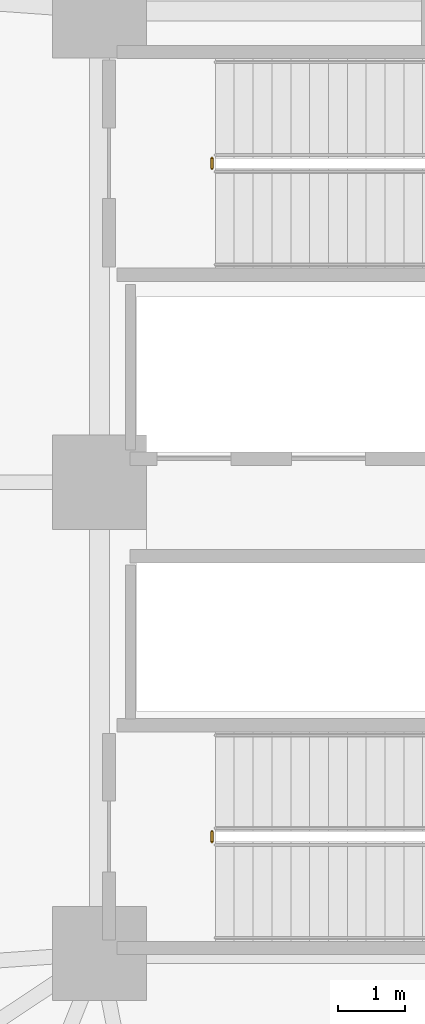
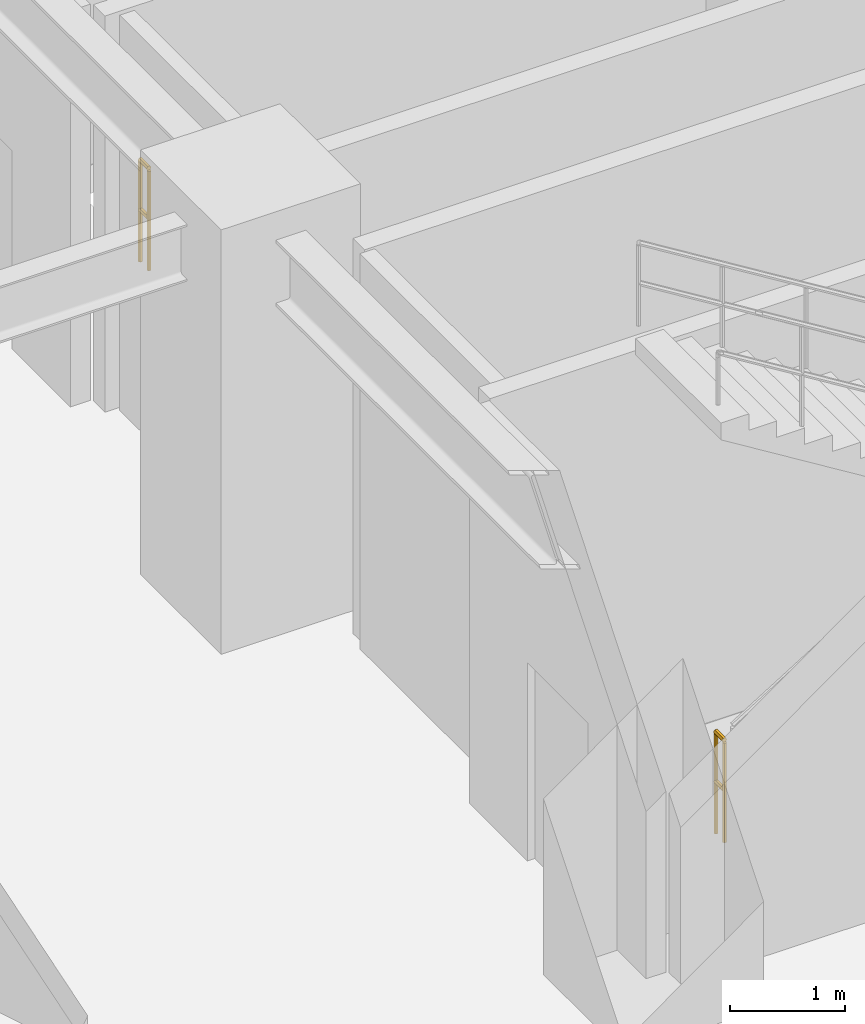
# One storey, part 50 of 55: 2 railings.
"""IFC4 building model written with IfcOpenShell, lengths in metres."""

from ifc_helpers import new_model, si_unit, direction, frame, origin, place, context, subcontext, project, spatial, polyline, outline, extrude, material, type_object, element, save


model = new_model("IFC4")

# Units and contexts
model_context = context("Model", 3, precision=1e-05, world=origin(), true_north=direction((0.0, 1.0)))
body_context = subcontext(model_context, "Body", "Model", "MODEL_VIEW")
ifc_project = project(units=[si_unit("LENGTHUNIT", "METRE"), si_unit("AREAUNIT", "SQUARE_METRE"), si_unit("VOLUMEUNIT", "CUBIC_METRE"), si_unit("PLANEANGLEUNIT", "RADIAN"), si_unit("MASSUNIT", "GRAM", prefix="KILO")], contexts=[model_context])

# Site, building, storey
site_placement = place(None, origin())
site = spatial("IfcSite", under=ifc_project, at=site_placement, CompositionType="ELEMENT")
building_placement = place(site_placement, origin())
building = spatial("IfcBuilding", under=site, at=building_placement, Name="Kelanora Arch Commons", CompositionType="ELEMENT")
storey_placement = place(building_placement, frame((0.0, 0.0, 4.5)))
storey = spatial("IfcBuildingStorey", under=building, at=storey_placement, Name="L01", CompositionType="ELEMENT", Elevation=4.5)

# Railings
ifc_material = material(Name="Painted steel stair well guard", Category="steel")
railing_type = type_object("IfcRailingType", Name="RAIL-STAIR-GRD", PredefinedType="GUARDRAIL", material=ifc_material)
for number, where, name in (
    (1, (67.669921875, 62.659912109375, 0.0), "L01 ST-T1 stair guard 4"),
    (2, (67.669921875, 52.659912109375, 0.0), "L01 ST-T3 stair guard 4"),
):
    element("IfcRailing", number, at=place(storey_placement, frame(where)), inside=storey, type_object=railing_type, Name=name, PredefinedType="GUARDRAIL", context=body_context, shape_type="SweptSolid", body=[
        extrude(outline(polyline([(0.02392578125, 0.0), (0.011962890625, 0.020751953125), (-0.011962890625, 0.020751953125), (-0.02392578125, 0.0), (-0.011962890625, -0.020751953125), (0.011962890625, -0.020751953125), (0.02392578125, 0.0)])), frame((0.0, 0.0, 1.076171875), z_axis=(0.0, 1.0, 0.0), x_axis=(-1.0, 0.0, 0.0)), (0.0, 0.0, 1.0), 0.150146484375),
        extrude(outline(polyline([(0.02392578125, 0.0), (0.011962890625, 0.020751953125), (-0.011962890625, 0.020751953125), (-0.02392578125, 0.0), (-0.011962890625, -0.020751953125), (0.011962890625, -0.020751953125), (0.02392578125, 0.0)])), frame((0.0, 0.0, 0.550048828125), z_axis=(0.0, 1.0, 0.0), x_axis=(-1.0, 0.0, 0.0)), (0.0, 0.0, 1.0), 0.150146484375),
        extrude(outline(polyline([(0.02099609375, 0.0), (0.010498046875, 0.01806640625), (-0.010498046875, 0.01806640625), (-0.02099609375, 0.0), (-0.010498046875, -0.01806640625), (0.010498046875, -0.01806640625), (0.02099609375, 0.0)])), origin(), (0.0, 0.0, 1.0), 1.052001953125),
        extrude(outline(polyline([(0.02099609375, 0.0), (0.010498046875, 0.01806640625), (-0.010498046875, 0.01806640625), (-0.02099609375, 0.0), (-0.010498046875, -0.01806640625), (0.010498046875, -0.01806640625), (0.02099609375, 0.0)])), frame((0.0, 0.150146484375, 0.0)), (0.0, 0.0, 1.0), 1.052001953125),
    ])

save(model, "model.ifc")
